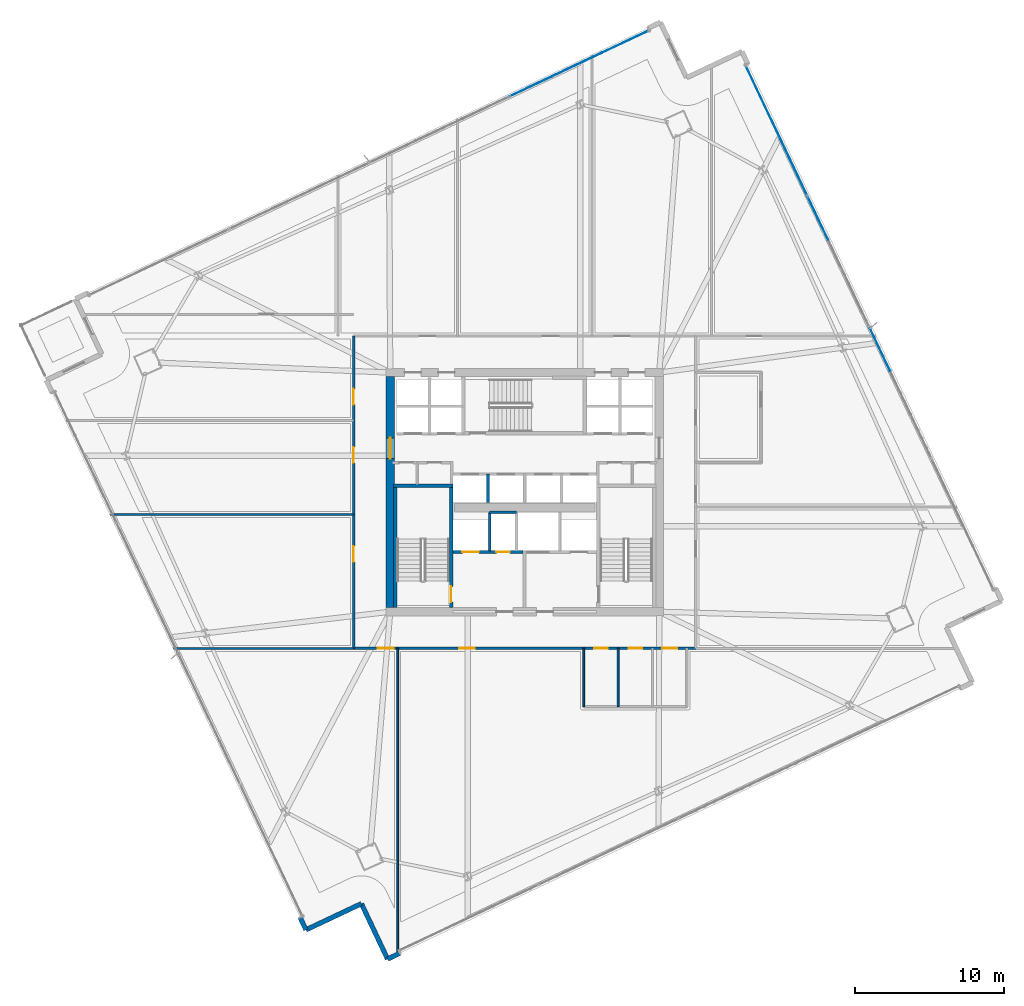
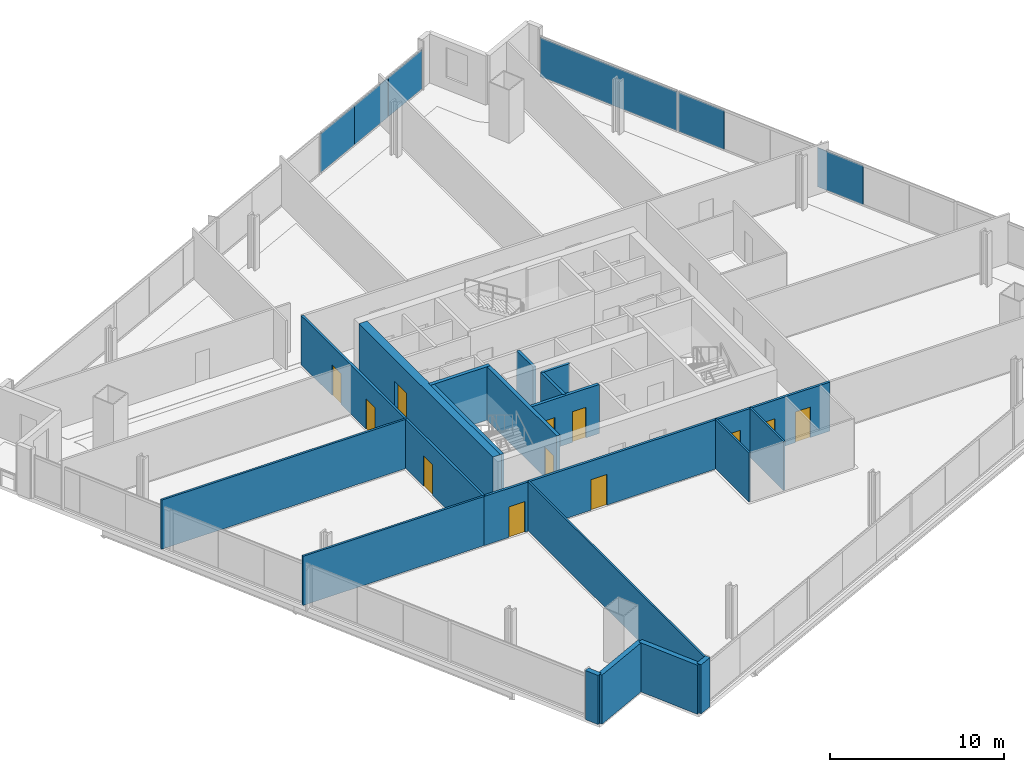
# One storey, part 25 of 34: 19 walls, 12 doors, 6 plates, 12 openings, 2 elements without a shape of their own.
"""IFC4 building model written with IfcOpenShell, lengths in metres."""

from ifc_helpers import new_model, si_unit, direction, frame, frame_2d, origin, origin_2d, place, context, subcontext, project, spatial, rectangle, extrude, source, transform, mapped, material, layer, layer_set, type_object, element, fill, aggregate, save


model = new_model("IFC4")

# Units and contexts
model_context = context("Model", 3, precision=1e-05, world=origin(), true_north=direction((0.0, 1.0)))
body_context = subcontext(model_context, "Body", "Model", "MODEL_VIEW")
ifc_project = project(units=[si_unit("LENGTHUNIT", "METRE"), si_unit("AREAUNIT", "SQUARE_METRE"), si_unit("VOLUMEUNIT", "CUBIC_METRE"), si_unit("PLANEANGLEUNIT", "RADIAN"), si_unit("MASSUNIT", "GRAM", prefix="KILO")], contexts=[model_context])

# Site, building, storey
site_placement = place(None, origin())
site = spatial("IfcSite", under=ifc_project, at=site_placement, CompositionType="ELEMENT")
building_placement = place(site_placement, origin())
building = spatial("IfcBuilding", under=site, at=building_placement, Name="Haldenkirk Collegiate Tower", CompositionType="ELEMENT")
storey_placement = place(building_placement, frame((0.0, 0.0, 112.949951171875)))
storey = spatial("IfcBuildingStorey", under=building, at=storey_placement, Name="L27", CompositionType="ELEMENT", Elevation=112.949951171875)

# Curtain wall, plates
ifc_material_1 = material(Name="Anodised architectural bronze aluminium", Category="aluminium")
curtain_wall_type = type_object("IfcCurtainWallType", Name="CW-SYS1-CONVEX-LOW", PredefinedType="USERDEFINED", material=ifc_material_1)
curtain_wall_1_placement = place(storey_placement, origin())
curtain_wall_1 = element("IfcCurtainWall", 1, at=curtain_wall_1_placement, inside=storey, type_object=curtain_wall_type, Name="L27 Lower tower convex bronze-framed unitised curtain wall", ObjectType="UNITISED CURTAIN WALL", PredefinedType="USERDEFINED")
ifc_material_2 = material(Name="Low-E argon triple insulating glass", Category="glass")
ifc_layer_1 = layer(ifc_material_2, 0.0439453125)
ifc_layer_set_1 = layer_set([ifc_layer_1], Name="Low-E argon triple insulating glass")
plate_type_1 = type_object("IfcPlateType", Name="CW-PNL-1A", PredefinedType="CURTAIN_PANEL", material=ifc_layer_set_1)
shared_shape_1 = source(origin(), body_context, "Body", "SweptSolid", [
    extrude(rectangle(XDim=9.5986328125, YDim=0.0439453125, at=origin_2d()), origin(), (0.0, 0.0, 1.0), 2.740966796875),
])
plate_1_placement = place(storey_placement, frame((52.847900390625, 50.191162109375, 0.080078125), z_axis=(0.0, 0.0, 1.0), x_axis=(0.427357177338, -0.904082873954, 0.0)))
plate_1 = element("IfcPlate", 2, at=plate_1_placement, type_object=plate_type_1, Name="CW-1A panel 1.1", PredefinedType="CURTAIN_PANEL", context=body_context, shape_type="MappedRepresentation", body=[
    mapped(shared_shape_1, transform((0.0, 0.0, 0.0), x_axis=(1.0, 0.0, 0.0), y_axis=(0.0, 1.0, 0.0), z_axis=(0.0, 0.0, 1.0), scale=1.0)),
])
ifc_material_3 = material(Name="Bronze-anodised insulated aluminium spandrel panel", Category="aluminium")
ifc_layer_2 = layer(ifc_material_3, 0.0439453125)
ifc_layer_set_2 = layer_set([ifc_layer_2], Name="Bronze-anodised insulated aluminium spandrel panel")
plate_type_2 = type_object("IfcPlateType", Name="CW-SPD-1A", PredefinedType="CURTAIN_PANEL", material=ifc_layer_set_2)
shared_shape_2 = source(origin(), body_context, "Body", "SweptSolid", [
    extrude(rectangle(XDim=3.200439453125, YDim=0.0439453125, at=origin_2d()), origin(), (0.0, 0.0, 1.0), 2.740966796875),
])
plate_2_placement = place(storey_placement, frame((55.616943359375, 44.3330078125, 0.080078125), z_axis=(0.0, 0.0, 1.0), x_axis=(0.427357177338, -0.904082873954, 0.0)))
plate_2 = element("IfcPlate", 3, at=plate_2_placement, type_object=plate_type_2, Name="CW-1A spandrel panel 2.1a", PredefinedType="CURTAIN_PANEL", context=body_context, shape_type="MappedRepresentation", body=[
    mapped(shared_shape_2, transform((0.0, 0.0, 0.0), x_axis=(1.0, 0.0, 0.0), y_axis=(0.0, 1.0, 0.0), z_axis=(0.0, 0.0, 1.0), scale=1.0)),
])
plate_3_placement = place(storey_placement, frame((59.770263671875, 35.54638671875, 0.080078125), z_axis=(0.0, 0.0, 1.0), x_axis=(0.427357177338, -0.904082873954, 0.0)))
plate_3 = element("IfcPlate", 4, at=plate_3_placement, type_object=plate_type_1, Name="CW-1A panel 3.1a", PredefinedType="CURTAIN_PANEL", context=body_context, shape_type="MappedRepresentation", body=[
    mapped(shared_shape_2, transform((0.0, 0.0, 0.0), x_axis=(1.0, 0.0, 0.0), y_axis=(0.0, 1.0, 0.0), z_axis=(0.0, 0.0, 1.0), scale=1.0)),
])
aggregate(curtain_wall_1, [plate_1, plate_2, plate_3])

curtain_wall_2_placement = place(storey_placement, origin())
curtain_wall_2 = element("IfcCurtainWall", 5, at=curtain_wall_2_placement, inside=storey, type_object=curtain_wall_type, Name="L27 Lower tower convex bronze-framed unitised curtain wall", ObjectType="UNITISED CURTAIN WALL", PredefinedType="USERDEFINED")
shared_shape_3 = source(origin(), body_context, "Body", "SweptSolid", [
    extrude(rectangle(XDim=3.40576171875, YDim=0.0439453125, at=origin_2d()), origin(), (0.0, 0.0, 1.0), 2.740966796875),
])
plate_4_placement = place(storey_placement, frame((36.541015625, 53.211181640625, 0.080078125), z_axis=(0.0, 0.0, 1.0), x_axis=(0.904081982955, 0.42735906226, 0.0)))
plate_4 = element("IfcPlate", 6, at=plate_4_placement, type_object=plate_type_2, Name="CW-1A spandrel panel 4.1a", PredefinedType="CURTAIN_PANEL", context=body_context, shape_type="MappedRepresentation", body=[
    mapped(shared_shape_3, transform((0.0, 0.0, 0.0), x_axis=(1.0, 0.0, 0.0), y_axis=(0.0, 1.0, 0.0), z_axis=(0.0, 0.0, 1.0), scale=1.0)),
])
plate_5_placement = place(storey_placement, frame((42.733154296875, 56.13818359375, 0.080078125), z_axis=(0.0, 0.0, 1.0), x_axis=(0.904081982955, 0.42735906226, 0.0)))
plate_5 = element("IfcPlate", 7, at=plate_5_placement, type_object=plate_type_1, Name="CW-1A panel 4.1c", PredefinedType="CURTAIN_PANEL", context=body_context, shape_type="MappedRepresentation", body=[
    mapped(shared_shape_3, transform((0.0, 0.0, 0.0), x_axis=(1.0, 0.0, 0.0), y_axis=(0.0, 1.0, 0.0), z_axis=(0.0, 0.0, 1.0), scale=1.0)),
])
shared_shape_4 = source(origin(), body_context, "Body", "SweptSolid", [
    extrude(rectangle(XDim=3.393310546875, YDim=0.0439453125, at=origin_2d()), origin(), (0.0, 0.0, 1.0), 2.740966796875),
])
plate_6_placement = place(storey_placement, frame((39.636962890625, 54.6748046875, 0.080078125), z_axis=(0.0, 0.0, 1.0), x_axis=(0.904081982955, 0.42735906226, 0.0)))
plate_6 = element("IfcPlate", 8, at=plate_6_placement, type_object=plate_type_1, Name="CW-1A panel 4.1b", PredefinedType="CURTAIN_PANEL", context=body_context, shape_type="MappedRepresentation", body=[
    mapped(shared_shape_4, transform((0.0, 0.0, 0.0), x_axis=(1.0, 0.0, 0.0), y_axis=(0.0, 1.0, 0.0), z_axis=(0.0, 0.0, 1.0), scale=1.0)),
])
aggregate(curtain_wall_2, [plate_4, plate_6, plate_5])

# Wall, opening, door
ifc_material_4 = material(Name="Concrete f'c 70 MPa", Category="concrete")
ifc_layer_3 = layer(ifc_material_4, 0.550048828125)
ifc_layer_set_3 = layer_set([ifc_layer_3], Name="Concrete f'c 70 MPa")
wall_type_1 = type_object("IfcWallType", Name="WL-CORE-550", PredefinedType="SHEAR", material=ifc_layer_set_3)
wall_1_placement = place(storey_placement, frame((27.0, 18.27490234375, 0.0), z_axis=(0.0, 0.0, 1.0), x_axis=(0.0, 1.0, 0.0)))
wall_1 = element("IfcWall", 9, at=wall_1_placement, inside=storey, type_object=wall_type_1, Name="L27 central core shear wall W", PredefinedType="SHEAR", context=body_context, shape_type="SweptSolid", body=[
    extrude(rectangle(XDim=15.4501953125, YDim=0.550048828125, at=frame_2d((7.72509765625, 0.0))), origin(), (0.0, 0.0, 1.0), 3.75),
])
opening_1_placement = place(wall_1_placement, frame((9.965087890625, 0.0, 0.0)))
opening_1 = element("IfcOpeningElement", 10, at=opening_1_placement, cuts=wall_1, Name="Opening D-03", PredefinedType="OPENING", context=body_context, shape_type="SweptSolid", body=[
    extrude(rectangle(XDim=1.39990234375, YDim=2.199951171875, at=frame_2d((0.699951171875, 1.10009765625))), frame((0.0, 0.284912109375, 0.0), z_axis=(0.0, -1.0, 0.0), x_axis=(1.0, 0.0, 0.0)), (0.0, 0.0, 1.0), 0.570068359375),
])
ifc_material_5 = material(Name="Galvanized fire-rated hollow steel door", Category="steel")
ifc_layer_4 = layer(ifc_material_5, 0.06005859375)
ifc_layer_set_4 = layer_set([ifc_layer_4], Name="Galvanized fire-rated hollow steel door")
door_type_1 = type_object("IfcDoorType", Name="DR-LOBBY-FD90-1400", OperationType="NOTDEFINED", PredefinedType="DOOR", material=ifc_layer_set_4)
door_1_placement = place(opening_1_placement, origin())
door_1 = element("IfcDoor", 11, at=door_1_placement, inside=storey, type_object=door_type_1, Name="L27 west lift lobby portal", OperationType="DOUBLE_DOOR_SINGLE_SWING", OverallHeight=2.199951171875, OverallWidth=1.39990234375, PredefinedType="DOOR", context=body_context, shape_type="SweptSolid", body=[
    extrude(rectangle(XDim=1.39990234375, YDim=2.199951171875, at=frame_2d((0.699951171875, 1.10009765625))), frame((0.0, 0.02490234375, 0.0), z_axis=(0.0, -1.0, 0.0), x_axis=(1.0, 0.0, 0.0)), (0.0, 0.0, 1.0), 0.050048828125),
])
fill(opening_1, door_1)

# Walls
ifc_material_6 = material(Name="Precast concrete f'c 40 MPa", Category="concrete")
ifc_layer_5 = layer(ifc_material_6, 0.320068359375)
ifc_layer_set_5 = layer_set([ifc_layer_5], Name="Precast concrete f'c 40 MPa")
wall_type_2 = type_object("IfcWallType", Name="WL-EXT-TWR-320", PredefinedType="STANDARD", material=ifc_layer_set_5)
wall_2_placement = place(storey_placement, frame((27.6357421875, -4.859619140625, 0.0), z_axis=(0.0, 0.0, 1.0), x_axis=(-0.904135144494, -0.427246580432, 0.0)))
element("IfcWall", 12, at=wall_2_placement, inside=storey, type_object=wall_type_2, Name="L27 precast corner pier SR", PredefinedType="STANDARD", context=body_context, shape_type="SweptSolid", body=[
    extrude(rectangle(XDim=0.89990234375, YDim=0.320068359375, at=frame_2d((0.449951171875, 0.0))), origin(), (0.0, 0.0, 1.0), 3.449951171875),
])
wall_3_placement = place(storey_placement, frame((21.36328125, -3.28955078125, 0.0), z_axis=(0.0, 0.0, 1.0), x_axis=(-0.427468292447, 0.904030341832, 0.0)))
element("IfcWall", 13, at=wall_3_placement, inside=storey, type_object=wall_type_2, Name="L27 precast corner pier WL", PredefinedType="STANDARD", context=body_context, shape_type="SweptSolid", body=[
    extrude(rectangle(XDim=0.900146484375, YDim=0.320068359375, at=frame_2d((0.4501953125, 0.0))), origin(), (0.0, 0.0, 1.0), 3.449951171875),
])
wall_4_placement = place(storey_placement, frame((25.06982421875, -1.537353515625, 0.0), z_axis=(0.0, 0.0, 1.0), x_axis=(-0.904071011486, -0.427382271732, 0.0)))
element("IfcWall", 14, at=wall_4_placement, inside=storey, type_object=wall_type_2, Name="L27 bronze precast notch wall 11", PredefinedType="STANDARD", context=body_context, shape_type="SweptSolid", body=[
    extrude(rectangle(XDim=4.099853515625, YDim=0.320068359375, at=frame_2d((2.0498046875, 0.0))), origin(), (0.0, 0.0, 1.0), 3.449951171875),
])
wall_5_placement = place(storey_placement, frame((26.822021484375, -5.244140625, 0.0), z_axis=(0.0, 0.0, 1.0), x_axis=(-0.427359264105, 0.904081887543, 0.0)))
element("IfcWall", 15, at=wall_5_placement, inside=storey, type_object=wall_type_2, Name="L27 bronze precast notch wall 12", PredefinedType="STANDARD", context=body_context, shape_type="SweptSolid", body=[
    extrude(rectangle(XDim=4.10009765625, YDim=0.320068359375, at=frame_2d((2.050048828125, 0.0))), origin(), (0.0, 0.0, 1.0), 3.449951171875),
])

# Wall, openings, doors
ifc_material_7 = material(Name="Acoustic fire-rated gypsum partition", Category="concrete")
ifc_layer_6 = layer(ifc_material_7, 0.159912109375)
ifc_layer_set_6 = layer_set([ifc_layer_6], Name="Acoustic fire-rated gypsum partition")
wall_type_3 = type_object("IfcWallType", Name="WL-INT-CORR-160", PredefinedType="PARTITIONING", material=ifc_layer_set_6)
wall_6_placement = place(storey_placement, frame((24.5, 15.550048828125, 0.0), z_axis=(0.0, 0.0, 1.0), x_axis=(1.0, 0.0, 0.0)))
wall_6 = element("IfcWall", 16, at=wall_6_placement, inside=storey, type_object=wall_type_3, Name="L27 interior partition IW-L27-CS", PredefinedType="PARTITIONING", context=body_context, shape_type="SweptSolid", body=[
    extrude(rectangle(XDim=23.0, YDim=0.159912109375, at=frame_2d((11.5, 0.0))), origin(), (0.0, 0.0, 1.0), 3.449951171875),
])
opening_2_placement = place(wall_6_placement, frame((16.14990234375, 0.0, 0.0)))
opening_2 = element("IfcOpeningElement", 17, at=opening_2_placement, cuts=wall_6, Name="Opening D-13", PredefinedType="OPENING", context=body_context, shape_type="SweptSolid", body=[
    extrude(rectangle(XDim=0.89990234375, YDim=2.14990234375, at=frame_2d((0.449951171875, 1.074951171875))), frame((0.0, 0.08984375, 0.0), z_axis=(0.0, -1.0, 0.0), x_axis=(1.0, 0.0, 0.0)), (0.0, 0.0, 1.0), 0.179931640625),
])
opening_3_placement = place(wall_6_placement, frame((18.449951171875, 0.0, 0.0)))
opening_3 = element("IfcOpeningElement", 18, at=opening_3_placement, cuts=wall_6, Name="Opening D-13", PredefinedType="OPENING", context=body_context, shape_type="SweptSolid", body=[
    extrude(rectangle(XDim=0.89990234375, YDim=2.14990234375, at=frame_2d((0.449951171875, 1.074951171875))), frame((0.0, 0.08984375, 0.0), z_axis=(0.0, -1.0, 0.0), x_axis=(1.0, 0.0, 0.0)), (0.0, 0.0, 1.0), 0.179931640625),
])
opening_4_placement = place(wall_6_placement, frame((20.699951171875, 0.0, 0.0)))
opening_4 = element("IfcOpeningElement", 19, at=opening_4_placement, cuts=wall_6, Name="Opening D-14", PredefinedType="OPENING", context=body_context, shape_type="SweptSolid", body=[
    extrude(rectangle(XDim=1.0, YDim=2.14990234375, at=frame_2d((0.5, 1.074951171875))), frame((0.0, 0.08984375, 0.0), z_axis=(0.0, -1.0, 0.0), x_axis=(1.0, 0.0, 0.0)), (0.0, 0.0, 1.0), 0.179931640625),
])
opening_5_placement = place(wall_6_placement, frame((1.669921875, 0.0, 0.0)))
opening_5 = element("IfcOpeningElement", 20, at=opening_5_placement, cuts=wall_6, Name="Opening D-09", PredefinedType="OPENING", context=body_context, shape_type="SweptSolid", body=[
    extrude(rectangle(XDim=1.050048828125, YDim=2.14990234375, at=frame_2d((0.52490234375, 1.074951171875))), frame((0.0, 0.08984375, 0.0), z_axis=(0.0, -1.0, 0.0), x_axis=(1.0, 0.0, 0.0)), (0.0, 0.0, 1.0), 0.179931640625),
])
opening_6_placement = place(wall_6_placement, frame((7.118896484375, 0.0, 0.0)))
opening_6 = element("IfcOpeningElement", 21, at=opening_6_placement, cuts=wall_6, Name="Opening D-09", PredefinedType="OPENING", context=body_context, shape_type="SweptSolid", body=[
    extrude(rectangle(XDim=1.050048828125, YDim=2.14990234375, at=frame_2d((0.52490234375, 1.074951171875))), frame((0.0, 0.08984375, 0.0), z_axis=(0.0, -1.0, 0.0), x_axis=(1.0, 0.0, 0.0)), (0.0, 0.0, 1.0), 0.179931640625),
])
ifc_material_8 = material(Name="Solid-core architectural oak fire door", Category="wood")
ifc_layer_7 = layer(ifc_material_8, 0.06005859375)
ifc_layer_set_7 = layer_set([ifc_layer_7], Name="Solid-core architectural oak fire door")
door_type_2 = type_object("IfcDoorType", Name="DR-INT-ACC-1000", OperationType="NOTDEFINED", PredefinedType="DOOR", material=ifc_layer_set_7)
door_2_placement = place(opening_4_placement, origin())
door_2 = element("IfcDoor", 22, at=door_2_placement, inside=storey, type_object=door_type_2, Name="L27 Accessible WC door", OperationType="SINGLE_SWING_LEFT", OverallHeight=2.14990234375, OverallWidth=1.0, PredefinedType="DOOR", context=body_context, shape_type="SweptSolid", body=[
    extrude(rectangle(XDim=1.0, YDim=2.14990234375, at=frame_2d((0.5, 1.074951171875))), frame((0.0, 0.02490234375, 0.0), z_axis=(0.0, -1.0, 0.0), x_axis=(1.0, 0.0, 0.0)), (0.0, 0.0, 1.0), 0.050048828125),
])
fill(opening_4, door_2)
ifc_layer_8 = layer(ifc_material_8, 0.06005859375)
ifc_layer_set_8 = layer_set([ifc_layer_8], Name="Solid-core architectural oak fire door")
door_type_3 = type_object("IfcDoorType", Name="DR-INT-FD60-1050", OperationType="NOTDEFINED", PredefinedType="DOOR", material=ifc_layer_set_8)
door_3_placement = place(opening_5_placement, origin())
door_3 = element("IfcDoor", 23, at=door_3_placement, inside=storey, type_object=door_type_3, Name="L27 Special Collections Archive 1 door", OperationType="SINGLE_SWING_RIGHT", OverallHeight=2.14990234375, OverallWidth=1.050048828125, PredefinedType="DOOR", context=body_context, shape_type="SweptSolid", body=[
    extrude(rectangle(XDim=1.050048828125, YDim=2.14990234375, at=frame_2d((0.52490234375, 1.074951171875))), frame((0.0, 0.02490234375, 0.0), z_axis=(0.0, -1.0, 0.0), x_axis=(1.0, 0.0, 0.0)), (0.0, 0.0, 1.0), 0.050048828125),
])
fill(opening_5, door_3)
door_4_placement = place(opening_6_placement, origin())
door_4 = element("IfcDoor", 24, at=door_4_placement, inside=storey, type_object=door_type_3, Name="L27 Rare Folio Vault 2 door", OperationType="SINGLE_SWING_LEFT", OverallHeight=2.14990234375, OverallWidth=1.050048828125, PredefinedType="DOOR", context=body_context, shape_type="SweptSolid", body=[
    extrude(rectangle(XDim=1.050048828125, YDim=2.14990234375, at=frame_2d((0.52490234375, 1.074951171875))), frame((0.0, 0.02490234375, 0.0), z_axis=(0.0, -1.0, 0.0), x_axis=(1.0, 0.0, 0.0)), (0.0, 0.0, 1.0), 0.050048828125),
])
fill(opening_6, door_4)
ifc_layer_9 = layer(ifc_material_8, 0.06005859375)
ifc_layer_set_9 = layer_set([ifc_layer_9], Name="Solid-core architectural oak fire door")
door_type_4 = type_object("IfcDoorType", Name="DR-INT-STD-900", OperationType="NOTDEFINED", PredefinedType="DOOR", material=ifc_layer_set_9)
door_5_placement = place(opening_2_placement, origin())
door_5 = element("IfcDoor", 25, at=door_5_placement, inside=storey, type_object=door_type_4, Name="L27 Male WC door", OperationType="SINGLE_SWING_LEFT", OverallHeight=2.14990234375, OverallWidth=0.89990234375, PredefinedType="DOOR", context=body_context, shape_type="SweptSolid", body=[
    extrude(rectangle(XDim=0.89990234375, YDim=2.14990234375, at=frame_2d((0.449951171875, 1.074951171875))), frame((0.0, 0.02490234375, 0.0), z_axis=(0.0, -1.0, 0.0), x_axis=(1.0, 0.0, 0.0)), (0.0, 0.0, 1.0), 0.050048828125),
])
fill(opening_2, door_5)
door_6_placement = place(opening_3_placement, origin())
door_6 = element("IfcDoor", 26, at=door_6_placement, inside=storey, type_object=door_type_4, Name="L27 Female WC door", OperationType="SINGLE_SWING_RIGHT", OverallHeight=2.14990234375, OverallWidth=0.89990234375, PredefinedType="DOOR", context=body_context, shape_type="SweptSolid", body=[
    extrude(rectangle(XDim=0.89990234375, YDim=2.14990234375, at=frame_2d((0.449951171875, 1.074951171875))), frame((0.0, 0.02490234375, 0.0), z_axis=(0.0, -1.0, 0.0), x_axis=(1.0, 0.0, 0.0)), (0.0, 0.0, 1.0), 0.050048828125),
])
fill(opening_3, door_6)

wall_7_placement = place(storey_placement, frame((24.550048828125, 15.550048828125, 0.0), z_axis=(0.0, 0.0, 1.0), x_axis=(0.0, 1.0, 0.0)))
wall_7 = element("IfcWall", 27, at=wall_7_placement, inside=storey, type_object=wall_type_3, Name="L27 interior partition IW-L27-CW", PredefinedType="PARTITIONING", context=body_context, shape_type="SweptSolid", body=[
    extrude(rectangle(XDim=20.89990234375, YDim=0.159912109375, at=frame_2d((10.449951171875, 0.0))), origin(), (0.0, 0.0, 1.0), 3.449951171875),
])
opening_7_placement = place(wall_7_placement, frame((5.787109375, 0.0, 0.0)))
opening_7 = element("IfcOpeningElement", 28, at=opening_7_placement, cuts=wall_7, Name="Opening D-09", PredefinedType="OPENING", context=body_context, shape_type="SweptSolid", body=[
    extrude(rectangle(XDim=1.050048828125, YDim=2.14990234375, at=frame_2d((0.52490234375, 1.074951171875))), frame((0.0, 0.08984375, 0.0), z_axis=(0.0, -1.0, 0.0), x_axis=(1.0, 0.0, 0.0)), (0.0, 0.0, 1.0), 0.179931640625),
])
opening_8_placement = place(wall_7_placement, frame((12.410888671875, 0.0, 0.0)))
opening_8 = element("IfcOpeningElement", 29, at=opening_8_placement, cuts=wall_7, Name="Opening D-09", PredefinedType="OPENING", context=body_context, shape_type="SweptSolid", body=[
    extrude(rectangle(XDim=1.050048828125, YDim=2.14990234375, at=frame_2d((0.52490234375, 1.074951171875))), frame((0.0, 0.08984375, 0.0), z_axis=(0.0, -1.0, 0.0), x_axis=(1.0, 0.0, 0.0)), (0.0, 0.0, 1.0), 0.179931640625),
])
opening_9_placement = place(wall_7_placement, frame((16.306884765625, 0.0, 0.0)))
opening_9 = element("IfcOpeningElement", 30, at=opening_9_placement, cuts=wall_7, Name="Opening D-09", PredefinedType="OPENING", context=body_context, shape_type="SweptSolid", body=[
    extrude(rectangle(XDim=1.050048828125, YDim=2.14990234375, at=frame_2d((0.52490234375, 1.074951171875))), frame((0.0, 0.08984375, 0.0), z_axis=(0.0, -1.0, 0.0), x_axis=(1.0, 0.0, 0.0)), (0.0, 0.0, 1.0), 0.179931640625),
])
door_7_placement = place(opening_7_placement, origin())
door_7 = element("IfcDoor", 31, at=door_7_placement, inside=storey, type_object=door_type_3, Name="L27 Rare Folio Vault 8 door", OperationType="SINGLE_SWING_LEFT", OverallHeight=2.14990234375, OverallWidth=1.050048828125, PredefinedType="DOOR", context=body_context, shape_type="SweptSolid", body=[
    extrude(rectangle(XDim=1.050048828125, YDim=2.14990234375, at=frame_2d((0.52490234375, 1.074951171875))), frame((0.0, 0.02490234375, 0.0), z_axis=(0.0, -1.0, 0.0), x_axis=(1.0, 0.0, 0.0)), (0.0, 0.0, 1.0), 0.050048828125),
])
fill(opening_7, door_7)
door_8_placement = place(opening_8_placement, origin())
door_8 = element("IfcDoor", 32, at=door_8_placement, inside=storey, type_object=door_type_3, Name="L27 Instrument Store Room 9 door", OperationType="SINGLE_SWING_RIGHT", OverallHeight=2.14990234375, OverallWidth=1.050048828125, PredefinedType="DOOR", context=body_context, shape_type="SweptSolid", body=[
    extrude(rectangle(XDim=1.050048828125, YDim=2.14990234375, at=frame_2d((0.52490234375, 1.074951171875))), frame((0.0, 0.02490234375, 0.0), z_axis=(0.0, -1.0, 0.0), x_axis=(1.0, 0.0, 0.0)), (0.0, 0.0, 1.0), 0.050048828125),
])
fill(opening_8, door_8)
door_9_placement = place(opening_9_placement, origin())
door_9 = element("IfcDoor", 33, at=door_9_placement, inside=storey, type_object=door_type_3, Name="L27 Material Specimen Store 10 door", OperationType="SINGLE_SWING_LEFT", OverallHeight=2.14990234375, OverallWidth=1.050048828125, PredefinedType="DOOR", context=body_context, shape_type="SweptSolid", body=[
    extrude(rectangle(XDim=1.050048828125, YDim=2.14990234375, at=frame_2d((0.52490234375, 1.074951171875))), frame((0.0, 0.02490234375, 0.0), z_axis=(0.0, -1.0, 0.0), x_axis=(1.0, 0.0, 0.0)), (0.0, 0.0, 1.0), 0.050048828125),
])
fill(opening_9, door_9)

# Walls
ifc_layer_10 = layer(ifc_material_7, 0.139892578125)
ifc_layer_set_10 = layer_set([ifc_layer_10], Name="Acoustic fire-rated gypsum partition")
wall_type_4 = type_object("IfcWallType", Name="WL-INT-DIV-140", PredefinedType="PARTITIONING", material=ifc_layer_set_10)
wall_8_placement = place(storey_placement, frame((12.501953125, 15.550048828125, 0.0), z_axis=(0.0, 0.0, 1.0), x_axis=(1.0, 0.0, 0.0)))
element("IfcWall", 34, at=wall_8_placement, inside=storey, type_object=wall_type_4, Name="L27 interior partition IW-L27-BWS", PredefinedType="PARTITIONING", context=body_context, shape_type="SweptSolid", body=[
    extrude(rectangle(XDim=12.048095703125, YDim=0.139892578125, at=frame_2d((6.02392578125, 0.0))), origin(), (0.0, 0.0, 1.0), 3.449951171875),
])
wall_9_placement = place(storey_placement, frame((8.271484375, 24.5, 0.0), z_axis=(0.0, 0.0, 1.0), x_axis=(1.0, 0.0, 0.0)))
element("IfcWall", 35, at=wall_9_placement, inside=storey, type_object=wall_type_4, Name="L27 interior partition IW-L27-RW1", PredefinedType="PARTITIONING", context=body_context, shape_type="SweptSolid", body=[
    extrude(rectangle(XDim=16.278564453125, YDim=0.139892578125, at=frame_2d((8.13916015625, 0.0))), origin(), (0.0, 0.0, 1.0), 3.449951171875),
])
ifc_material_9 = material(Name="Fire-rated gypsum shaftboard assembly", Category="concrete")
ifc_layer_11 = layer(ifc_material_9, 0.179931640625)
ifc_layer_set_11 = layer_set([ifc_layer_11], Name="Fire-rated gypsum shaftboard assembly")
wall_type_5 = type_object("IfcWallType", Name="WL-INT-SHAFT-180", PredefinedType="PARTITIONING", material=ifc_layer_set_11)
wall_10_placement = place(storey_placement, frame((33.64990234375, 22.050048828125, 0.0), z_axis=(0.0, 0.0, 1.0), x_axis=(0.0, 1.0, 0.0)))
element("IfcWall", 36, at=wall_10_placement, inside=storey, type_object=wall_type_5, Name="L27 interior partition IW-L27-FL1E", PredefinedType="PARTITIONING", context=body_context, shape_type="SweptSolid", body=[
    extrude(rectangle(XDim=2.599853515625, YDim=0.179931640625, at=frame_2d((1.2998046875, 0.0))), origin(), (0.0, 0.0, 1.0), 3.449951171875),
])
wall_11_placement = place(storey_placement, frame((33.64990234375, 24.64990234375, 0.0), z_axis=(0.0, 0.0, 1.0), x_axis=(1.0, 0.0, 0.0)))
element("IfcWall", 37, at=wall_11_placement, inside=storey, type_object=wall_type_5, Name="L27 interior partition IW-L27-RSRN", PredefinedType="PARTITIONING", context=body_context, shape_type="SweptSolid", body=[
    extrude(rectangle(XDim=1.800048828125, YDim=0.179931640625, at=frame_2d((0.89990234375, 0.0))), origin(), (0.0, 0.0, 1.0), 3.449951171875),
])
wall_12_placement = place(storey_placement, frame((33.5400390625, 25.300048828125, 0.0), z_axis=(0.0, 0.0, 1.0), x_axis=(0.0, 1.0, 0.0)))
element("IfcWall", 38, at=wall_12_placement, inside=storey, type_object=wall_type_5, Name="L27 interior partition IW-L27-PHV1", PredefinedType="PARTITIONING", context=body_context, shape_type="SweptSolid", body=[
    extrude(rectangle(XDim=1.89990234375, YDim=0.179931640625, at=frame_2d((0.949951171875, 0.0))), origin(), (0.0, 0.0, 1.0), 3.449951171875),
])

# Wall, openings, doors
ifc_layer_12 = layer(ifc_material_9, 0.199951171875)
ifc_layer_set_12 = layer_set([ifc_layer_12], Name="Fire-rated gypsum shaftboard assembly")
wall_type_6 = type_object("IfcWallType", Name="WL-INT-SHAFT-200", PredefinedType="PARTITIONING", material=ifc_layer_set_12)
wall_13_placement = place(storey_placement, frame((31.18994140625, 22.0, 0.0), z_axis=(0.0, 0.0, 1.0), x_axis=(1.0, 0.0, 0.0)))
wall_13 = element("IfcWall", 39, at=wall_13_placement, inside=storey, type_object=wall_type_6, Name="L27 interior partition IW-L27-FFL1N", PredefinedType="PARTITIONING", context=body_context, shape_type="SweptSolid", body=[
    extrude(rectangle(XDim=4.68994140625, YDim=0.199951171875, at=frame_2d((2.344970703125, 0.0))), origin(), (0.0, 0.0, 1.0), 3.449951171875),
])
opening_10_placement = place(wall_13_placement, frame((2.909912109375, 0.0, 0.0)))
opening_10 = element("IfcOpeningElement", 40, at=opening_10_placement, cuts=wall_13, Name="Opening D-06", PredefinedType="OPENING", context=body_context, shape_type="SweptSolid", body=[
    extrude(rectangle(XDim=0.89990234375, YDim=2.14990234375, at=frame_2d((0.449951171875, 1.074951171875))), frame((0.0, 0.10986328125, 0.0), z_axis=(0.0, -1.0, 0.0), x_axis=(1.0, 0.0, 0.0)), (0.0, 0.0, 1.0), 0.219970703125),
])
opening_11_placement = place(wall_13_placement, frame((0.635009765625, 0.0, 0.0)))
opening_11 = element("IfcOpeningElement", 41, at=opening_11_placement, cuts=wall_13, Name="Opening LD-12", PredefinedType="OPENING", context=body_context, shape_type="SweptSolid", body=[
    extrude(rectangle(XDim=1.10009765625, YDim=2.14990234375, at=frame_2d((0.550048828125, 1.074951171875))), frame((0.0, 0.10986328125, 0.0), z_axis=(0.0, -1.0, 0.0), x_axis=(1.0, 0.0, 0.0)), (0.0, 0.0, 1.0), 0.219970703125),
])
ifc_layer_13 = layer(ifc_material_5, 0.06005859375)
ifc_layer_set_13 = layer_set([ifc_layer_13], Name="Galvanized fire-rated hollow steel door")
door_type_5 = type_object("IfcDoorType", Name="DR-INT-FD90-900", OperationType="NOTDEFINED", PredefinedType="DOOR", material=ifc_layer_set_13)
door_10_placement = place(opening_10_placement, origin())
door_10 = element("IfcDoor", 42, at=door_10_placement, inside=storey, type_object=door_type_5, Name="L27 electrical riser door", OperationType="SINGLE_SWING_RIGHT", OverallHeight=2.14990234375, OverallWidth=0.89990234375, PredefinedType="DOOR", context=body_context, shape_type="SweptSolid", body=[
    extrude(rectangle(XDim=0.89990234375, YDim=2.14990234375, at=frame_2d((0.449951171875, 1.074951171875))), frame((0.0, 0.02490234375, 0.0), z_axis=(0.0, -1.0, 0.0), x_axis=(1.0, 0.0, 0.0)), (0.0, 0.0, 1.0), 0.050048828125),
])
fill(opening_10, door_10)
ifc_material_10 = material(Name="Brushed architectural stainless steel", Category="steel")
ifc_layer_14 = layer(ifc_material_10, 0.06005859375)
ifc_layer_set_14 = layer_set([ifc_layer_14], Name="Brushed architectural stainless steel")
door_type_6 = type_object("IfcDoorType", Name="LD-FIRE-1100", OperationType="NOTDEFINED", PredefinedType="DOOR", material=ifc_layer_set_14)
door_11_placement = place(opening_11_placement, origin())
door_11 = element("IfcDoor", 43, at=door_11_placement, inside=storey, type_object=door_type_6, Name="L27 Elevator FL1 sliding landing door", OperationType="SLIDING_TO_LEFT", OverallHeight=2.14990234375, OverallWidth=1.10009765625, PredefinedType="DOOR", context=body_context, shape_type="SweptSolid", body=[
    extrude(rectangle(XDim=1.10009765625, YDim=2.14990234375, at=frame_2d((0.550048828125, 1.074951171875))), frame((0.0, 0.02490234375, 0.0), z_axis=(0.0, -1.0, 0.0), x_axis=(1.0, 0.0, 0.0)), (0.0, 0.0, 1.0), 0.050048828125),
])
fill(opening_11, door_11)

# Walls
ifc_layer_15 = layer(ifc_material_7, 0.1201171875)
ifc_layer_set_15 = layer_set([ifc_layer_15], Name="Acoustic fire-rated gypsum partition")
wall_type_7 = type_object("IfcWallType", Name="WL-INT-WET-120", PredefinedType="PARTITIONING", material=ifc_layer_set_15)
for number, where, z_axis, x_axis, name in (
    (44, (39.949951171875, 11.64990234375, 0.0), (0.0, 0.0, 1.0), (0.0, 1.0, 0.0), "L27 interior partition IW-L27-WCW"),
    (45, (42.25, 11.64990234375, 0.0), (0.0, 0.0, 1.0), (0.0, 1.0, 0.0), "L27 interior partition IW-L27-WC1"),
):
    element("IfcWall", number, at=place(storey_placement, frame(where, z_axis=z_axis, x_axis=x_axis)), inside=storey, type_object=wall_type_7, Name=name, PredefinedType="PARTITIONING", context=body_context, shape_type="SweptSolid", body=[
        extrude(rectangle(XDim=3.900146484375, YDim=0.1201171875, at=frame_2d((1.9501953125, 0.0))), origin(), (0.0, 0.0, 1.0), 3.449951171875),
    ])
wall_14_placement = place(storey_placement, frame((27.5, -4.87939453125, 0.0), z_axis=(0.0, 0.0, 1.0), x_axis=(0.0, 1.0, 0.0)))
element("IfcWall", 46, at=wall_14_placement, inside=storey, type_object=wall_type_7, Name="L27 interior partition IW-L27-RS1", PredefinedType="PARTITIONING", context=body_context, shape_type="SweptSolid", body=[
    extrude(rectangle(XDim=20.429443359375, YDim=0.1201171875, at=frame_2d((10.21484375, 0.0))), origin(), (0.0, 0.0, 1.0), 3.449951171875),
])

# Wall, opening, door
ifc_material_11 = material(Name="Concrete f'c 55 MPa", Category="concrete")
ifc_layer_16 = layer(ifc_material_11, 0.239990234375)
ifc_layer_set_16 = layer_set([ifc_layer_16], Name="Concrete f'c 55 MPa")
wall_type_8 = type_object("IfcWallType", Name="WL-SHAFT-240", PredefinedType="SHEAR", material=ifc_layer_set_16)
wall_15_placement = place(storey_placement, frame((31.070068359375, 18.280029296875, 0.0), z_axis=(0.0, 0.0, 1.0), x_axis=(0.0, 1.0, 0.0)))
wall_15 = element("IfcWall", 47, at=wall_15_placement, inside=storey, type_object=wall_type_8, Name="L27 stair shaft shear wall SW-L27-ST1E", PredefinedType="SHEAR", context=body_context, shape_type="SweptSolid", body=[
    extrude(rectangle(XDim=8.260009765625, YDim=0.239990234375, at=frame_2d((4.1298828125, 0.0))), origin(), (0.0, 0.0, 1.0), 3.75),
])
opening_12_placement = place(wall_15_placement, frame((0.364990234375, 0.0, 0.0)))
opening_12 = element("IfcOpeningElement", 48, at=opening_12_placement, cuts=wall_15, Name="Opening D-01", PredefinedType="OPENING", context=body_context, shape_type="SweptSolid", body=[
    extrude(rectangle(XDim=1.050048828125, YDim=2.14990234375, at=frame_2d((0.52490234375, 1.074951171875))), frame((0.0, 0.1298828125, 0.0), z_axis=(0.0, -1.0, 0.0), x_axis=(1.0, 0.0, 0.0)), (0.0, 0.0, 1.0), 0.260009765625),
])
ifc_layer_17 = layer(ifc_material_5, 0.06005859375)
ifc_layer_set_17 = layer_set([ifc_layer_17], Name="Galvanized fire-rated hollow steel door")
door_type_7 = type_object("IfcDoorType", Name="DR-STAIR-FD90-1050", OperationType="NOTDEFINED", PredefinedType="DOOR", material=ifc_layer_set_17)
door_12_placement = place(opening_12_placement, origin())
door_12 = element("IfcDoor", 49, at=door_12_placement, inside=storey, type_object=door_type_7, Name="L27 Stair 1 door", OperationType="SINGLE_SWING_LEFT", OverallHeight=2.14990234375, OverallWidth=1.050048828125, PredefinedType="DOOR", context=body_context, shape_type="SweptSolid", body=[
    extrude(rectangle(XDim=1.050048828125, YDim=2.14990234375, at=frame_2d((0.52490234375, 1.074951171875))), frame((0.0, 0.02490234375, 0.0), z_axis=(0.0, -1.0, 0.0), x_axis=(1.0, 0.0, 0.0)), (0.0, 0.0, 1.0), 0.050048828125),
])
fill(opening_12, door_12)

# Walls
wall_16_placement = place(storey_placement, frame((27.2099609375, 26.419921875, 0.0), z_axis=(0.0, 0.0, 1.0), x_axis=(1.0, 0.0, 0.0)))
element("IfcWall", 50, at=wall_16_placement, inside=storey, type_object=wall_type_8, Name="L27 stair shaft shear wall SW-L27-ST1N", PredefinedType="SHEAR", context=body_context, shape_type="SweptSolid", body=[
    extrude(rectangle(XDim=3.97998046875, YDim=0.239990234375, at=frame_2d((1.989990234375, 0.0))), origin(), (0.0, 0.0, 1.0), 3.75),
])
wall_17_placement = place(storey_placement, frame((27.330078125, 18.280029296875, 0.0), z_axis=(0.0, 0.0, 1.0), x_axis=(0.0, 1.0, 0.0)))
element("IfcWall", 51, at=wall_17_placement, inside=storey, type_object=wall_type_8, Name="L27 stair shaft shear wall SW-L27-ST1W", PredefinedType="SHEAR", context=body_context, shape_type="SweptSolid", body=[
    extrude(rectangle(XDim=8.260009765625, YDim=0.239990234375, at=frame_2d((4.1298828125, 0.0))), origin(), (0.0, 0.0, 1.0), 3.75),
])

save(model, "model.ifc")
